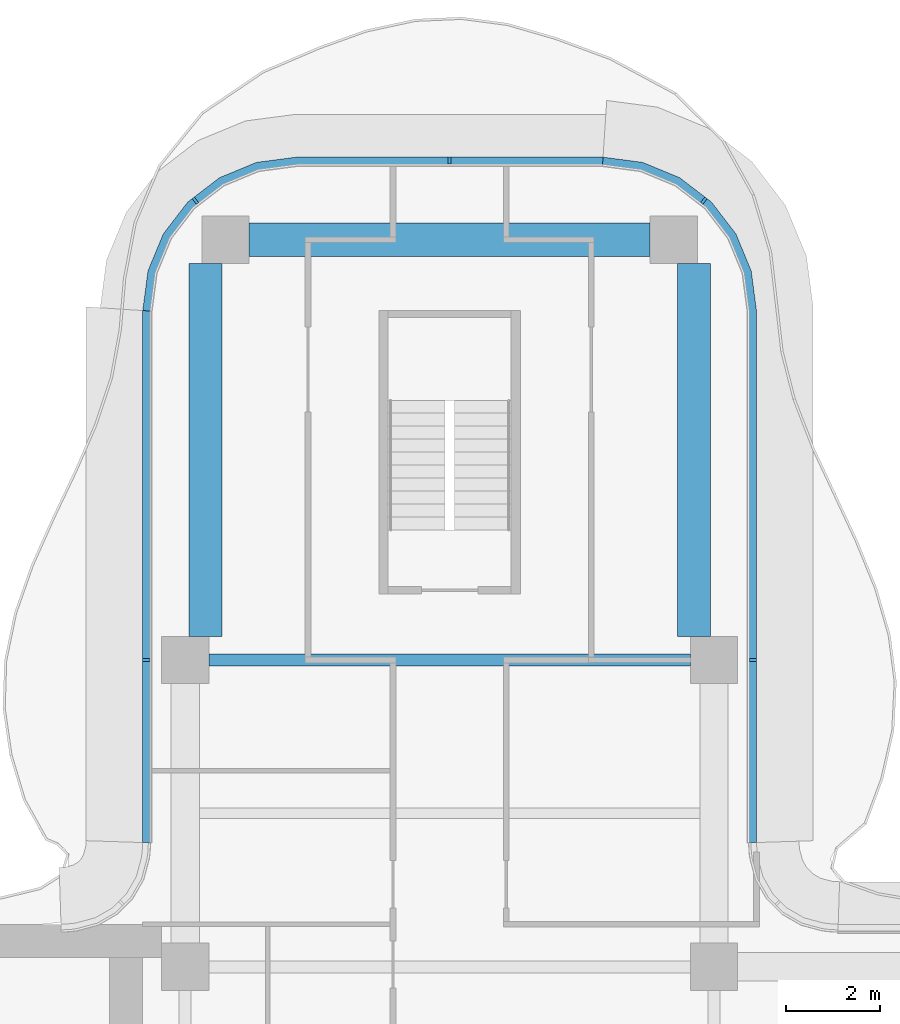
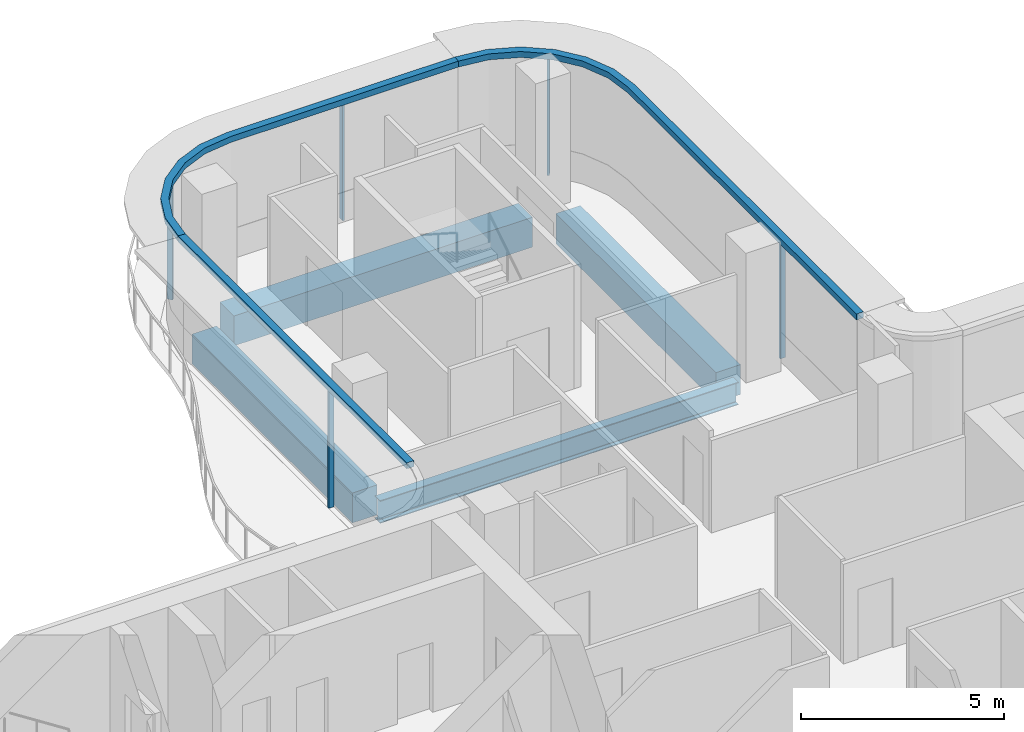
# One storey, part 7 of 17: 8 members, 4 beams, 3 elements without a shape of their own.
"""IFC4 building model written with IfcOpenShell, lengths in metres."""

from ifc_helpers import new_model, si_unit, direction, frame, origin, origin_2d, place, context, subcontext, project, spatial, polyline, rectangle, i_section, outline, extrude, source, transform, mapped, material, layer, layer_set, material_profile, profile_set, type_object, element, aggregate, save


model = new_model("IFC4")

# Units and contexts
model_context = context("Model", 3, precision=1e-05, world=origin(), true_north=direction((0.0, 1.0)))
body_context = subcontext(model_context, "Body", "Model", "MODEL_VIEW")
ifc_project = project(units=[si_unit("LENGTHUNIT", "METRE"), si_unit("AREAUNIT", "SQUARE_METRE"), si_unit("VOLUMEUNIT", "CUBIC_METRE"), si_unit("PLANEANGLEUNIT", "RADIAN"), si_unit("MASSUNIT", "GRAM", prefix="KILO")], contexts=[model_context])

# Site, building, storey
site_placement = place(None, origin())
site = spatial("IfcSite", under=ifc_project, at=site_placement, CompositionType="ELEMENT")
building_placement = place(site_placement, origin())
building = spatial("IfcBuilding", under=site, at=building_placement, Name="Trellis Farm Tower", CompositionType="ELEMENT")
storey_placement = place(building_placement, frame((0.0, 0.0, 295.0)))
storey = spatial("IfcBuildingStorey", under=building, at=storey_placement, Name="L66", CompositionType="ELEMENT", Elevation=295.0)

# Beams
ifc_material_1 = material(Name="Steel S355", Category="steel")
ifc_material_profile_1 = material_profile(ifc_material_1, i_section(OverallWidth=0.253662109375, OverallDepth=0.68359375, WebThickness=0.012451171875, FlangeThickness=0.021728515625, FilletRadius=0.01513671875, at=origin_2d()), Name="UB 686x254x140")
ifc_profile_set_1 = profile_set([ifc_material_profile_1], Name="Steel S355")
beam_type_1 = type_object("IfcBeamType", Name="UB 686x254x140", PredefinedType="BEAM", material=ifc_profile_set_1)
shared_shape_1 = source(origin(), body_context, "Body", "SweptSolid", [
    extrude(i_section(OverallWidth=0.253662109375, OverallDepth=0.68359375, WebThickness=0.012451171875, FlangeThickness=0.021728515625, FilletRadius=0.01513671875, at=origin_2d()), origin(), (0.0, 0.0, 1.0), 10.2001953125),
])
beam_1_placement = place(storey_placement, frame((-5.10009765625, 12.10009765625, -0.541748046875), z_axis=(1.0, 0.0, 0.0), x_axis=(0.0, 1.0, 0.0)))
element("IfcBeam", 1, at=beam_1_placement, inside=storey, type_object=beam_type_1, Name="Girder", PredefinedType="BEAM", context=body_context, shape_type="MappedRepresentation", body=[
    mapped(shared_shape_1, transform((0.0, 0.0, 0.0))),
])
ifc_material_2 = material(Name="Concrete C60/75", Category="concrete")
ifc_material_profile_2 = material_profile(ifc_material_2, rectangle(XDim=0.699951171875, YDim=0.89990234375, at=origin_2d()), Name="RC spandrel beam 700x900 C60/75")
ifc_profile_set_2 = profile_set([ifc_material_profile_2], Name="Concrete C60/75")
beam_type_2 = type_object("IfcBeamType", Name="RC spandrel beam 700x900 C60/75", PredefinedType="SPANDREL", material=ifc_profile_set_2)
shared_shape_2 = source(origin(), body_context, "Body", "SweptSolid", [
    extrude(rectangle(XDim=0.699951171875, YDim=0.89990234375, at=origin_2d()), origin(), (0.0, 0.0, 1.0), 8.5),
])
beam_2_placement = place(storey_placement, frame((-4.25, 21.0, -0.64990234375), z_axis=(1.0, 0.0, 0.0), x_axis=(0.0, 1.0, 0.0)))
element("IfcBeam", 2, at=beam_2_placement, inside=storey, type_object=beam_type_2, Name="Girder", PredefinedType="SPANDREL", context=body_context, shape_type="MappedRepresentation", body=[
    mapped(shared_shape_2, transform((0.0, 0.0, 0.0))),
])
shared_shape_3 = source(origin(), body_context, "Body", "SweptSolid", [
    extrude(rectangle(XDim=0.699951171875, YDim=0.89990234375, at=origin_2d()), origin(), (0.0, 0.0, 1.0), 7.89990234375),
])
for number, where, z_axis, x_axis, name in (
    (3, (-5.175048828125, 12.60009765625, -0.64990234375), (0.0, 1.0, 0.0), (-1.0, 0.0, 0.0), "Girder"),
    (4, (5.175048828125, 12.60009765625, -0.64990234375), (0.0, 1.0, 0.0), (-1.0, 0.0, 0.0), "Girder"),
):
    element("IfcBeam", number, at=place(storey_placement, frame(where, z_axis=z_axis, x_axis=x_axis)), inside=storey, type_object=beam_type_2, Name=name, PredefinedType="SPANDREL", context=body_context, shape_type="MappedRepresentation", body=[
        mapped(shared_shape_3, transform((0.0, 0.0, 0.0))),
    ])

# Curtain wall, members
ifc_material_3 = material(Name="Aluminium and glass curtain wall", Category="aluminium")
ifc_layer_1 = layer(ifc_material_3, 0.18994140625)
ifc_layer_set_1 = layer_set([ifc_layer_1], Name="RIBBON CURTAIN WALL CW1")
curtain_wall_type = type_object("IfcCurtainWallType", Name="RIBBON CURTAIN WALL CW1", PredefinedType="NOTDEFINED", material=ifc_layer_set_1)
placement_1 = place(storey_placement, origin())
curtain_wall_1 = element("IfcCurtainWall", 5, at=placement_1, inside=storey, type_object=curtain_wall_type, Name="CW1 009", PredefinedType="NOTDEFINED")
ifc_material_4 = material(Name="Aluminium extrusion 6063-T6", Category="aluminium")
ifc_material_profile_3 = material_profile(ifc_material_4, rectangle(XDim=0.06005859375, YDim=0.14990234375, at=origin_2d()), Name="MULLION 60x150")
ifc_profile_set_3 = profile_set([ifc_material_profile_3], Name="Aluminium extrusion 6063-T6")
member_type_1 = type_object("IfcMemberType", Name="CW1 MULLION 60x150", PredefinedType="MULLION", material=ifc_profile_set_3)
shared_shape_4 = source(origin(), body_context, "Body", "SweptSolid", [
    extrude(rectangle(XDim=0.06005859375, YDim=0.14990234375, at=origin_2d()), origin(), (0.0, 0.0, 1.0), 3.52001953125),
])
member_1_placement = place(storey_placement, frame((6.425048828125, 12.10009765625, 0.0), z_axis=(0.0, 0.0, 1.0), x_axis=(0.0, 1.0, 0.0)))
member_1 = element("IfcMember", 6, at=member_1_placement, type_object=member_type_1, Name="MU1 009-01", PredefinedType="MULLION", context=body_context, shape_type="MappedRepresentation", body=[
    mapped(shared_shape_4, transform((0.0, 0.0, 0.0))),
])
member_2_placement = place(storey_placement, frame((5.385498046875, 21.828369140625, 0.0), z_axis=(0.0, 0.0, 1.0), x_axis=(-0.793353340291, 0.608761429009, 0.0)))
member_2 = element("IfcMember", 7, at=member_2_placement, type_object=member_type_1, Name="MU1 009-02", PredefinedType="MULLION", context=body_context, shape_type="MappedRepresentation", body=[
    mapped(shared_shape_4, transform((0.0, 0.0, 0.0))),
])

curtain_wall_2 = element("IfcCurtainWall", 8, at=placement_1, inside=storey, type_object=curtain_wall_type, Name="CW1 010", PredefinedType="NOTDEFINED")
member_3_placement = place(storey_placement, frame((0.0, 22.675048828125, 0.0), z_axis=(0.0, 0.0, 1.0), x_axis=(-1.0, 0.0, 0.0)))
member_3 = element("IfcMember", 9, at=member_3_placement, type_object=member_type_1, Name="MU1 010-01", PredefinedType="MULLION", context=body_context, shape_type="MappedRepresentation", body=[
    mapped(shared_shape_4, transform((0.0, 0.0, 0.0))),
])
member_4_placement = place(storey_placement, frame((-5.385498046875, 21.828369140625, 0.0), z_axis=(0.0, 0.0, 1.0), x_axis=(-0.793353340291, -0.608761429009, 0.0)))
member_4 = element("IfcMember", 10, at=member_4_placement, type_object=member_type_1, Name="MU1 010-02", PredefinedType="MULLION", context=body_context, shape_type="MappedRepresentation", body=[
    mapped(shared_shape_4, transform((0.0, 0.0, 0.0))),
])

# Curtain wall, member
curtain_wall_3 = element("IfcCurtainWall", 11, at=placement_1, inside=storey, type_object=curtain_wall_type, Name="CW1 011", PredefinedType="NOTDEFINED")
member_5_placement = place(storey_placement, frame((-6.425048828125, 12.10009765625, 0.0), z_axis=(0.0, 0.0, 1.0), x_axis=(0.0, -1.0, 0.0)))
member_5 = element("IfcMember", 12, at=member_5_placement, type_object=member_type_1, Name="MU1 011-01", PredefinedType="MULLION", context=body_context, shape_type="MappedRepresentation", body=[
    mapped(shared_shape_4, transform((0.0, 0.0, 0.0))),
])

# Member
ifc_layer_2 = layer(ifc_material_4, 0.199951171875)
ifc_layer_set_2 = layer_set([ifc_layer_2], Name="Aluminium extrusion 6063-T6")
member_type_2 = type_object("IfcMemberType", Name="CW1 TRANSOM 200x180", PredefinedType="USERDEFINED", material=ifc_layer_set_2)
shared_shape_5 = source(origin(), body_context, "Body", "SweptSolid", [
    extrude(outline(polyline([(6.5, 8.2314453125), (6.5, 19.5), (6.38916015625, 20.341064453125), (6.064697265625, 21.125), (5.548095703125, 21.798095703125), (4.875, 22.314697265625), (4.091064453125, 22.63916015625), (3.25, 22.75), (3.23681640625, 22.550048828125), (4.0390625, 22.4443359375), (4.774169921875, 22.139892578125), (5.405517578125, 21.655517578125), (5.889892578125, 21.024169921875), (6.1943359375, 20.2890625), (6.300048828125, 19.48681640625), (6.300048828125, 8.224853515625), (6.5, 8.2314453125)])), origin(), (0.0, 0.0, 1.0), 0.179931640625),
])
placement_2 = place(storey_placement, frame((0.0, 0.0, 3.52001953125)))
member_6 = element("IfcMember", 13, at=placement_2, type_object=member_type_2, Name="TR1 009", ObjectType="TRANSOM", PredefinedType="USERDEFINED", context=body_context, shape_type="MappedRepresentation", body=[
    mapped(shared_shape_5, transform((0.0, 0.0, 0.0))),
])

aggregate(curtain_wall_1, [member_1, member_2, member_6])

shared_shape_6 = source(origin(), body_context, "Body", "SweptSolid", [
    extrude(outline(polyline([(3.25, 22.75), (-3.25, 22.75), (-4.091064453125, 22.63916015625), (-4.875, 22.314697265625), (-5.548095703125, 21.798095703125), (-6.064697265625, 21.125), (-6.38916015625, 20.341064453125), (-6.5, 19.5), (-6.300048828125, 19.48681640625), (-6.1943359375, 20.2890625), (-5.889892578125, 21.024169921875), (-5.405517578125, 21.655517578125), (-4.774169921875, 22.139892578125), (-4.0390625, 22.4443359375), (-3.23681640625, 22.550048828125), (3.23681640625, 22.550048828125), (3.25, 22.75)])), origin(), (0.0, 0.0, 1.0), 0.179931640625),
])
member_7 = element("IfcMember", 14, at=placement_2, type_object=member_type_2, Name="TR1 010", ObjectType="TRANSOM", PredefinedType="USERDEFINED", context=body_context, shape_type="MappedRepresentation", body=[
    mapped(shared_shape_6, transform((0.0, 0.0, 0.0))),
])

aggregate(curtain_wall_2, [member_3, member_4, member_7])

shared_shape_7 = source(origin(), body_context, "Body", "SweptSolid", [
    extrude(outline(polyline([(-6.5, 19.5), (-6.5, 8.2314453125), (-6.300048828125, 8.224853515625), (-6.300048828125, 19.48681640625), (-6.5, 19.5)])), origin(), (0.0, 0.0, 1.0), 0.179931640625),
])
member_8 = element("IfcMember", 15, at=placement_2, type_object=member_type_2, Name="TR1 011", ObjectType="TRANSOM", PredefinedType="USERDEFINED", context=body_context, shape_type="MappedRepresentation", body=[
    mapped(shared_shape_7, transform((0.0, 0.0, 0.0))),
])

aggregate(curtain_wall_3, [member_5, member_8])

save(model, "model.ifc")
